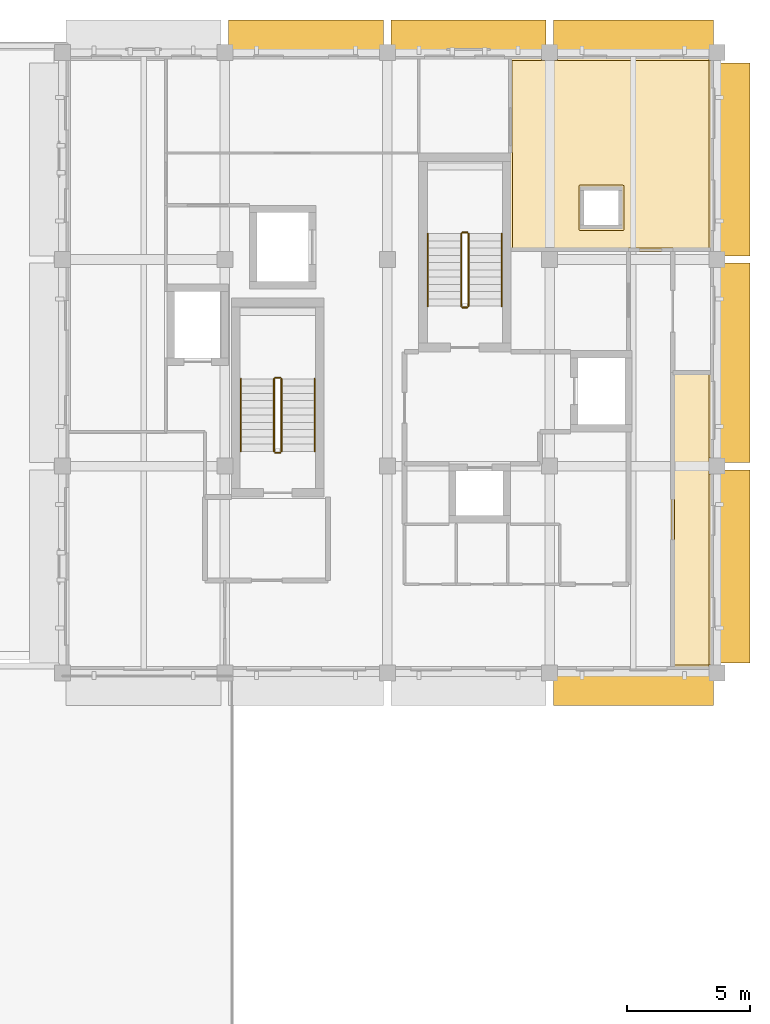
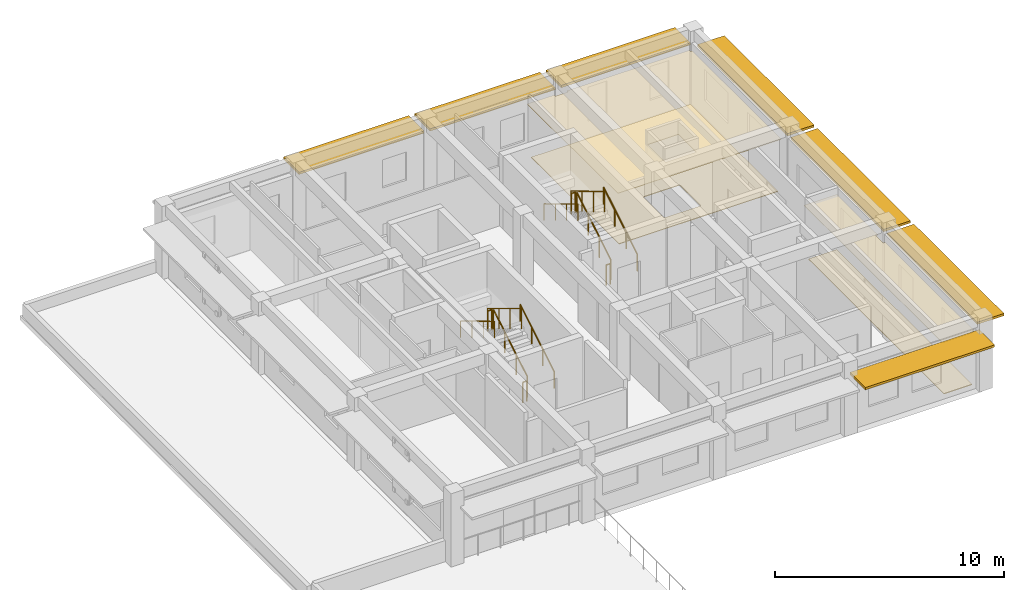
# One storey, part 7 of 7: 12 railings, 7 shading devices, 4 coverings.
"""IFC4 building model written with IfcOpenShell, lengths in metres."""

from ifc_helpers import new_model, si_unit, direction, frame, origin, origin_2d, place, context, subcontext, project, spatial, polyline, rectangle, circle, outline, extrude, material, layer, layer_set, type_object, element, save


model = new_model("IFC4")

# Units and contexts
model_context = context("Model", 3, precision=1e-05, world=origin(), true_north=direction((0.0, 1.0)))
body_context = subcontext(model_context, "Body", "Model", "MODEL_VIEW")
ifc_project = project(units=[si_unit("LENGTHUNIT", "METRE"), si_unit("AREAUNIT", "SQUARE_METRE"), si_unit("VOLUMEUNIT", "CUBIC_METRE"), si_unit("PLANEANGLEUNIT", "RADIAN"), si_unit("MASSUNIT", "GRAM", prefix="KILO")], contexts=[model_context])

# Site, building, storey
site_placement = place(None, origin())
site = spatial("IfcSite", under=ifc_project, at=site_placement, CompositionType="ELEMENT")
building_placement = place(site_placement, origin())
building = spatial("IfcBuilding", under=site, at=building_placement, Name="Kolvaren Faculty of Natural Sciences", CompositionType="ELEMENT")
storey_placement = place(building_placement, frame((0.0, 0.0, 32.699951171875)))
storey = spatial("IfcBuildingStorey", under=building, at=storey_placement, Name="L07", CompositionType="ELEMENT", Elevation=32.699951171875)

# Coverings
ifc_material_1 = material(Name="Perforated mineral-fibre acoustic suspended ceiling tile")
ifc_layer_1 = layer(ifc_material_1, 0.02490234375)
ifc_layer_set_1 = layer_set([ifc_layer_1], Name="Perforated mineral-fibre acoustic suspended ceiling tile")
covering_type_1 = type_object("IfcCoveringType", Name="AcousticSuspendedCeiling_25", PredefinedType="CEILING", material=ifc_layer_set_1)
covering_1_placement = place(storey_placement, frame((0.0, 0.0, 2.824951171875)))
element("IfcCovering", 1, at=covering_1_placement, inside=storey, type_object=covering_type_1, Name="L07 L07 Departmental Reference Library acoustic ceiling", PredefinedType="CEILING", context=body_context, shape_type="SweptSolid", body=[
    extrude(outline(polyline([(171.780029296875, 71.280029296875), (171.780029296875, 67.72509765625), (171.675048828125, 67.72509765625), (171.675048828125, 67.074951171875), (171.780029296875, 67.074951171875), (171.780029296875, 59.324951171875), (171.675048828125, 59.324951171875), (171.675048828125, 59.219970703125), (170.1201171875, 59.219970703125), (170.1201171875, 71.280029296875), (171.780029296875, 71.280029296875)])), origin(), (0.0, 0.0, 1.0), 0.025146484375),
])
covering_2_placement = place(storey_placement, frame((0.0, 0.0, 2.824951171875)))
element("IfcCovering", 2, at=covering_2_placement, inside=storey, type_object=covering_type_1, Name="L07 L07 Senior Researcher Office acoustic ceiling", PredefinedType="CEILING", context=body_context, shape_type="SweptSolid", body=[
    extrude(outline(polyline([(163.544921875, 80.044921875), (163.52001953125, 80.044921875), (163.52001953125, 83.97998046875), (164.875, 83.97998046875), (164.875, 83.875), (165.52490234375, 83.875), (165.52490234375, 83.97998046875), (171.675048828125, 83.97998046875), (171.675048828125, 83.875), (171.780029296875, 83.875), (171.780029296875, 76.125), (171.675048828125, 76.125), (171.675048828125, 76.1201171875), (165.52490234375, 76.1201171875), (165.52490234375, 76.125), (164.875, 76.125), (164.875, 76.1201171875), (163.544921875, 76.1201171875), (163.544921875, 80.044921875)]), holes=[polyline([(168.080078125, 77.1201171875), (168.080078125, 78.679931640625), (166.52001953125, 78.679931640625), (166.52001953125, 77.1201171875), (168.080078125, 77.1201171875)])]), origin(), (0.0, 0.0, 1.0), 0.025146484375),
])

# Shading devices
ifc_material_2 = material(Name="Precast concrete C35/45", Category="concrete")
ifc_layer_2 = layer(ifc_material_2, 0.1201171875)
ifc_layer_set_2 = layer_set([ifc_layer_2], Name="Precast concrete C35/45")
shading_device_type = type_object("IfcShadingDeviceType", Name="ChhajjaSolarHood_1350", PredefinedType="AWNING", material=ifc_layer_set_2)
shading_device_1_placement = place(storey_placement, frame((172.655029296875, 79.8701171875, 3.044921875), z_axis=(0.0, 0.0, 1.0), x_axis=(0.0, -1.0, 0.0)))
element("IfcShadingDevice", 3, at=shading_device_1_placement, inside=storey, type_object=shading_device_type, Name="L07 precast sandstone chhajja solar hood 184", PredefinedType="AWNING", context=body_context, shape_type="SweptSolid", body=[
    extrude(rectangle(XDim=7.840087890625, YDim=1.35009765625, at=origin_2d()), origin(), (0.0, 0.0, 1.0), 0.1201171875),
])
shading_device_2_placement = place(storey_placement, frame((172.655029296875, 71.60009765625, 3.044921875), z_axis=(0.0, 0.0, 1.0), x_axis=(0.0, -1.0, 0.0)))
element("IfcShadingDevice", 4, at=shading_device_2_placement, inside=storey, type_object=shading_device_type, Name="L07 precast sandstone chhajja solar hood 185", PredefinedType="AWNING", context=body_context, shape_type="SweptSolid", body=[
    extrude(rectangle(XDim=8.10009765625, YDim=1.35009765625, at=origin_2d()), origin(), (0.0, 0.0, 1.0), 0.1201171875),
])
shading_device_3_placement = place(storey_placement, frame((172.655029296875, 63.330078125, 3.044921875), z_axis=(0.0, 0.0, 1.0), x_axis=(0.0, -1.0, 0.0)))
element("IfcShadingDevice", 5, at=shading_device_3_placement, inside=storey, type_object=shading_device_type, Name="L07 precast sandstone chhajja solar hood 186", PredefinedType="AWNING", context=body_context, shape_type="SweptSolid", body=[
    extrude(rectangle(XDim=7.840087890625, YDim=1.35009765625, at=origin_2d()), origin(), (0.0, 0.0, 1.0), 0.1201171875),
])
for number, where, z_axis, x_axis, name in (
    (6, (155.300048828125, 84.85498046875, 2.945068359375), (0.0, 0.0, 1.0), (1.0, 0.0, 0.0), "L07 precast sandstone chhajja solar hood 188"),
    (7, (161.89990234375, 84.85498046875, 2.945068359375), (0.0, 0.0, 1.0), (1.0, 0.0, 0.0), "L07 precast sandstone chhajja solar hood 189"),
):
    element("IfcShadingDevice", number, at=place(storey_placement, frame(where, z_axis=z_axis, x_axis=x_axis)), inside=storey, type_object=shading_device_type, Name=name, PredefinedType="AWNING", context=body_context, shape_type="SweptSolid", body=[
        extrude(rectangle(XDim=6.300048828125, YDim=1.35009765625, at=origin_2d()), origin(), (0.0, 0.0, 1.0), 0.1201171875),
    ])
for number, where, z_axis, x_axis, name in (
    (8, (168.60009765625, 84.85498046875, 2.945068359375), (0.0, 0.0, 1.0), (1.0, 0.0, 0.0), "L07 precast sandstone chhajja solar hood 190"),
    (9, (168.60009765625, 58.344970703125, 2.945068359375), (0.0, 0.0, 1.0), (-1.0, 0.0, 0.0), "L07 precast sandstone chhajja solar hood 194"),
):
    element("IfcShadingDevice", number, at=place(storey_placement, frame(where, z_axis=z_axis, x_axis=x_axis)), inside=storey, type_object=shading_device_type, Name=name, PredefinedType="AWNING", context=body_context, shape_type="SweptSolid", body=[
        extrude(rectangle(XDim=6.5, YDim=1.35009765625, at=origin_2d()), origin(), (0.0, 0.0, 1.0), 0.1201171875),
    ])

# Railings
ifc_material_3 = material(Name="Structural steel EN 10210-1 S355J2H", Category="steel")
ifc_layer_3 = layer(ifc_material_3, 0.048095703125)
ifc_layer_set_3 = layer_set([ifc_layer_3], Name="Structural steel EN 10210-1 S355J2H")
railing_type_1 = type_object("IfcRailingType", Name="StairPitchHandrail_920", PredefinedType="HANDRAIL", material=ifc_layer_set_3)
railing_1_placement = place(storey_placement, frame((163.25, 73.89990234375, 0.17724609375)))
element("IfcRailing", 10, at=railing_1_placement, inside=storey, type_object=railing_type_1, Name="L07 ST-1 stair handrail 1", PredefinedType="HANDRAIL", context=body_context, shape_type="SweptSolid", body=[
    extrude(circle(Radius=0.02392578125, at=origin_2d()), frame((0.0, 0.0, 0.8759765625), z_axis=(0.0, 0.85716102882, 0.515048512931), x_axis=(-1.0, 0.0, 0.0)), (0.0, 0.0, 1.0), 3.44189453125),
    extrude(circle(Radius=0.02099609375, at=origin_2d()), origin(), (0.0, 0.0, 1.0), 0.851806640625),
    extrude(circle(Radius=0.02099609375, at=origin_2d()), frame((0.0, 0.9833984375, 0.5908203125)), (0.0, 0.0, 1.0), 0.851806640625),
    extrude(circle(Radius=0.02099609375, at=origin_2d()), frame((0.0, 1.966796875, 1.181884765625)), (0.0, 0.0, 1.0), 0.851806640625),
    extrude(circle(Radius=0.02099609375, at=origin_2d()), frame((0.0, 2.9501953125, 1.772705078125)), (0.0, 0.0, 1.0), 0.851806640625),
])
railing_2_placement = place(storey_placement, frame((160.25, 76.85009765625, 2.12744140625)))
element("IfcRailing", 11, at=railing_2_placement, inside=storey, type_object=railing_type_1, Name="L07 ST-1 stair handrail 2", PredefinedType="HANDRAIL", context=body_context, shape_type="SweptSolid", body=[
    extrude(circle(Radius=0.02392578125, at=origin_2d()), frame((0.0, 0.0, 0.8759765625), z_axis=(0.0, -0.85716102882, 0.515048512931), x_axis=(1.0, 0.0, 0.0)), (0.0, 0.0, 1.0), 3.44189453125),
    extrude(circle(Radius=0.02099609375, at=origin_2d()), origin(), (0.0, 0.0, 1.0), 0.851806640625),
    extrude(circle(Radius=0.02099609375, at=origin_2d()), frame((0.0, -0.9833984375, 0.5908203125)), (0.0, 0.0, 1.0), 0.851806640625),
    extrude(circle(Radius=0.02099609375, at=origin_2d()), frame((0.0, -1.966796875, 1.181884765625)), (0.0, 0.0, 1.0), 0.851806640625),
    extrude(circle(Radius=0.02099609375, at=origin_2d()), frame((0.0, -2.9501953125, 1.772705078125)), (0.0, 0.0, 1.0), 0.851806640625),
])
railing_3_placement = place(storey_placement, frame((155.64990234375, 68.0, 0.17724609375)))
element("IfcRailing", 12, at=railing_3_placement, inside=storey, type_object=railing_type_1, Name="L07 ST-2 stair handrail 1", PredefinedType="HANDRAIL", context=body_context, shape_type="SweptSolid", body=[
    extrude(circle(Radius=0.02392578125, at=origin_2d()), frame((0.0, 0.0, 0.8759765625), z_axis=(0.0, 0.857142210208, 0.515079830201), x_axis=(-1.0, 0.0, 0.0)), (0.0, 0.0, 1.0), 3.441650390625),
    extrude(circle(Radius=0.02099609375, at=origin_2d()), origin(), (0.0, 0.0, 1.0), 0.851806640625),
    extrude(circle(Radius=0.02099609375, at=origin_2d()), frame((0.0, 0.9833984375, 0.5908203125)), (0.0, 0.0, 1.0), 0.851806640625),
    extrude(circle(Radius=0.02099609375, at=origin_2d()), frame((0.0, 1.966552734375, 1.181884765625)), (0.0, 0.0, 1.0), 0.851806640625),
    extrude(circle(Radius=0.02099609375, at=origin_2d()), frame((0.0, 2.949951171875, 1.772705078125)), (0.0, 0.0, 1.0), 0.851806640625),
])
railing_4_placement = place(storey_placement, frame((152.64990234375, 70.949951171875, 2.12744140625)))
element("IfcRailing", 13, at=railing_4_placement, inside=storey, type_object=railing_type_1, Name="L07 ST-2 stair handrail 2", PredefinedType="HANDRAIL", context=body_context, shape_type="SweptSolid", body=[
    extrude(circle(Radius=0.02392578125, at=origin_2d()), frame((0.0, 0.0, 0.8759765625), z_axis=(0.0, -0.857142210208, 0.515079830201), x_axis=(1.0, 0.0, 0.0)), (0.0, 0.0, 1.0), 3.441650390625),
    extrude(circle(Radius=0.02099609375, at=origin_2d()), origin(), (0.0, 0.0, 1.0), 0.851806640625),
    extrude(circle(Radius=0.02099609375, at=origin_2d()), frame((0.0, -0.9833984375, 0.5908203125)), (0.0, 0.0, 1.0), 0.851806640625),
    extrude(circle(Radius=0.02099609375, at=origin_2d()), frame((0.0, -1.966552734375, 1.181884765625)), (0.0, 0.0, 1.0), 0.851806640625),
    extrude(circle(Radius=0.02099609375, at=origin_2d()), frame((0.0, -2.949951171875, 1.772705078125)), (0.0, 0.0, 1.0), 0.851806640625),
])
ifc_layer_4 = layer(ifc_material_3, 0.048095703125)
ifc_layer_set_4 = layer_set([ifc_layer_4], Name="Structural steel EN 10210-1 S355J2H")
railing_type_2 = type_object("IfcRailingType", Name="StairWellGuard_1100", PredefinedType="BALUSTRADE", material=ifc_layer_set_4)
railing_5_placement = place(storey_placement, frame((161.89990234375, 73.89990234375, 0.17724609375)))
element("IfcRailing", 14, at=railing_5_placement, inside=storey, type_object=railing_type_2, Name="L07 ST-1 stair guard 1", PredefinedType="BALUSTRADE", context=body_context, shape_type="SweptSolid", body=[
    extrude(circle(Radius=0.02392578125, at=origin_2d()), frame((0.0, 0.0, 1.076171875), z_axis=(0.0, 0.85716102882, 0.515048512931), x_axis=(-1.0, 0.0, 0.0)), (0.0, 0.0, 1.0), 3.44189453125),
    extrude(circle(Radius=0.02099609375, at=origin_2d()), origin(), (0.0, 0.0, 1.0), 1.052001953125),
    extrude(circle(Radius=0.02099609375, at=origin_2d()), frame((0.0, 0.9833984375, 0.5908203125)), (0.0, 0.0, 1.0), 1.052001953125),
    extrude(circle(Radius=0.02099609375, at=origin_2d()), frame((0.0, 1.966796875, 1.181884765625)), (0.0, 0.0, 1.0), 1.052001953125),
    extrude(circle(Radius=0.02099609375, at=origin_2d()), frame((0.0, 2.9501953125, 1.772705078125)), (0.0, 0.0, 1.0), 1.052001953125),
])
railing_6_placement = place(storey_placement, frame((161.85009765625, 76.89990234375, 1.949951171875)))
element("IfcRailing", 15, at=railing_6_placement, inside=storey, type_object=railing_type_2, Name="L07 ST-1 stair guard 2", PredefinedType="BALUSTRADE", context=body_context, shape_type="SweptSolid", body=[
    extrude(circle(Radius=0.02392578125, at=origin_2d()), frame((0.0, 0.0, 1.076171875), z_axis=(-1.0, 0.0, 0.0), x_axis=(0.0, -1.0, 0.0)), (0.0, 0.0, 1.0), 0.2001953125),
    extrude(circle(Radius=0.02099609375, at=origin_2d()), origin(), (0.0, 0.0, 1.0), 1.052001953125),
    extrude(circle(Radius=0.02099609375, at=origin_2d()), frame((-0.2001953125, 0.0, 0.0)), (0.0, 0.0, 1.0), 1.052001953125),
])
railing_7_placement = place(storey_placement, frame((161.60009765625, 76.85009765625, 2.12744140625)))
element("IfcRailing", 16, at=railing_7_placement, inside=storey, type_object=railing_type_2, Name="L07 ST-1 stair guard 3", PredefinedType="BALUSTRADE", context=body_context, shape_type="SweptSolid", body=[
    extrude(circle(Radius=0.02392578125, at=origin_2d()), frame((0.0, 0.0, 1.076171875), z_axis=(0.0, -0.85716102882, 0.515048512931), x_axis=(1.0, 0.0, 0.0)), (0.0, 0.0, 1.0), 3.44189453125),
    extrude(circle(Radius=0.02099609375, at=origin_2d()), origin(), (0.0, 0.0, 1.0), 1.052001953125),
    extrude(circle(Radius=0.02099609375, at=origin_2d()), frame((0.0, -0.9833984375, 0.5908203125)), (0.0, 0.0, 1.0), 1.052001953125),
    extrude(circle(Radius=0.02099609375, at=origin_2d()), frame((0.0, -1.966796875, 1.181884765625)), (0.0, 0.0, 1.0), 1.052001953125),
    extrude(circle(Radius=0.02099609375, at=origin_2d()), frame((0.0, -2.9501953125, 1.772705078125)), (0.0, 0.0, 1.0), 1.052001953125),
])
railing_8_placement = place(storey_placement, frame((161.85009765625, 73.85009765625, 0.0)))
element("IfcRailing", 17, at=railing_8_placement, inside=storey, type_object=railing_type_2, Name="L07 ST-1 stair guard 4", PredefinedType="BALUSTRADE", context=body_context, shape_type="SweptSolid", body=[
    extrude(circle(Radius=0.02392578125, at=origin_2d()), frame((0.0, 0.0, 1.076171875), z_axis=(-1.0, 0.0, 0.0), x_axis=(0.0, -1.0, 0.0)), (0.0, 0.0, 1.0), 0.2001953125),
    extrude(circle(Radius=0.02099609375, at=origin_2d()), origin(), (0.0, 0.0, 1.0), 1.052001953125),
    extrude(circle(Radius=0.02099609375, at=origin_2d()), frame((-0.2001953125, 0.0, 0.0)), (0.0, 0.0, 1.0), 1.052001953125),
])
railing_9_placement = place(storey_placement, frame((154.300048828125, 68.0, 0.17724609375)))
element("IfcRailing", 18, at=railing_9_placement, inside=storey, type_object=railing_type_2, Name="L07 ST-2 stair guard 1", PredefinedType="BALUSTRADE", context=body_context, shape_type="SweptSolid", body=[
    extrude(circle(Radius=0.02392578125, at=origin_2d()), frame((0.0, 0.0, 1.076171875), z_axis=(0.0, 0.857142210208, 0.515079830201), x_axis=(-1.0, 0.0, 0.0)), (0.0, 0.0, 1.0), 3.441650390625),
    extrude(circle(Radius=0.02099609375, at=origin_2d()), origin(), (0.0, 0.0, 1.0), 1.052001953125),
    extrude(circle(Radius=0.02099609375, at=origin_2d()), frame((0.0, 0.9833984375, 0.5908203125)), (0.0, 0.0, 1.0), 1.052001953125),
    extrude(circle(Radius=0.02099609375, at=origin_2d()), frame((0.0, 1.966552734375, 1.181884765625)), (0.0, 0.0, 1.0), 1.052001953125),
    extrude(circle(Radius=0.02099609375, at=origin_2d()), frame((0.0, 2.949951171875, 1.772705078125)), (0.0, 0.0, 1.0), 1.052001953125),
])
railing_10_placement = place(storey_placement, frame((154.25, 71.0, 1.949951171875)))
element("IfcRailing", 19, at=railing_10_placement, inside=storey, type_object=railing_type_2, Name="L07 ST-2 stair guard 2", PredefinedType="BALUSTRADE", context=body_context, shape_type="SweptSolid", body=[
    extrude(circle(Radius=0.02392578125, at=origin_2d()), frame((0.0, 0.0, 1.076171875), z_axis=(-1.0, 0.0, 0.0), x_axis=(0.0, -1.0, 0.0)), (0.0, 0.0, 1.0), 0.199951171875),
    extrude(circle(Radius=0.02099609375, at=origin_2d()), origin(), (0.0, 0.0, 1.0), 1.052001953125),
    extrude(circle(Radius=0.02099609375, at=origin_2d()), frame((-0.199951171875, 0.0, 0.0)), (0.0, 0.0, 1.0), 1.052001953125),
])
railing_11_placement = place(storey_placement, frame((154.0, 70.949951171875, 2.12744140625)))
element("IfcRailing", 20, at=railing_11_placement, inside=storey, type_object=railing_type_2, Name="L07 ST-2 stair guard 3", PredefinedType="BALUSTRADE", context=body_context, shape_type="SweptSolid", body=[
    extrude(circle(Radius=0.02392578125, at=origin_2d()), frame((0.0, 0.0, 1.076171875), z_axis=(0.0, -0.857142210208, 0.515079830201), x_axis=(1.0, 0.0, 0.0)), (0.0, 0.0, 1.0), 3.441650390625),
    extrude(circle(Radius=0.02099609375, at=origin_2d()), origin(), (0.0, 0.0, 1.0), 1.052001953125),
    extrude(circle(Radius=0.02099609375, at=origin_2d()), frame((0.0, -0.9833984375, 0.5908203125)), (0.0, 0.0, 1.0), 1.052001953125),
    extrude(circle(Radius=0.02099609375, at=origin_2d()), frame((0.0, -1.966552734375, 1.181884765625)), (0.0, 0.0, 1.0), 1.052001953125),
    extrude(circle(Radius=0.02099609375, at=origin_2d()), frame((0.0, -2.949951171875, 1.772705078125)), (0.0, 0.0, 1.0), 1.052001953125),
])
railing_12_placement = place(storey_placement, frame((154.25, 67.949951171875, 0.0)))
element("IfcRailing", 21, at=railing_12_placement, inside=storey, type_object=railing_type_2, Name="L07 ST-2 stair guard 4", PredefinedType="BALUSTRADE", context=body_context, shape_type="SweptSolid", body=[
    extrude(circle(Radius=0.02392578125, at=origin_2d()), frame((0.0, 0.0, 1.076171875), z_axis=(-1.0, 0.0, 0.0), x_axis=(0.0, -1.0, 0.0)), (0.0, 0.0, 1.0), 0.199951171875),
    extrude(circle(Radius=0.02099609375, at=origin_2d()), origin(), (0.0, 0.0, 1.0), 1.052001953125),
    extrude(circle(Radius=0.02099609375, at=origin_2d()), frame((-0.199951171875, 0.0, 0.0)), (0.0, 0.0, 1.0), 1.052001953125),
])

# Coverings
ifc_material_4 = material(Name="Polished Uruguayan grey granite terrazzo flooring", Category="masonry")
ifc_layer_5 = layer(ifc_material_4, 0.030029296875)
ifc_layer_set_5 = layer_set([ifc_layer_5], Name="Polished Uruguayan grey granite terrazzo flooring")
covering_type_2 = type_object("IfcCoveringType", Name="TerrazzoFloorFinish_30", PredefinedType="FLOORING", material=ifc_layer_set_5)
covering_3_placement = place(storey_placement, origin())
element("IfcCovering", 22, at=covering_3_placement, inside=storey, type_object=covering_type_2, Name="L07 L07 Departmental Reference Library floor finish", PredefinedType="FLOORING", context=body_context, shape_type="SweptSolid", body=[
    extrude(outline(polyline([(171.679931640625, 67.72509765625), (171.675048828125, 67.72509765625), (171.675048828125, 67.074951171875), (171.679931640625, 67.074951171875), (171.679931640625, 59.324951171875), (171.675048828125, 59.324951171875), (171.675048828125, 59.320068359375), (170.260009765625, 59.320068359375), (170.260009765625, 71.139892578125), (171.679931640625, 71.139892578125), (171.679931640625, 67.72509765625)])), origin(), (0.0, 0.0, 1.0), 0.030029296875),
])
covering_4_placement = place(storey_placement, origin())
element("IfcCovering", 23, at=covering_4_placement, inside=storey, type_object=covering_type_2, Name="L07 L07 Senior Researcher Office floor finish", PredefinedType="FLOORING", context=body_context, shape_type="SweptSolid", body=[
    extrude(outline(polyline([(163.659912109375, 83.8798828125), (164.875, 83.8798828125), (164.875, 83.875), (165.52490234375, 83.875), (165.52490234375, 83.8798828125), (171.675048828125, 83.8798828125), (171.675048828125, 83.875), (171.679931640625, 83.875), (171.679931640625, 76.260009765625), (163.68505859375, 76.260009765625), (163.68505859375, 80.125), (163.684814453125, 80.130859375), (163.683837890625, 80.13671875), (163.682373046875, 80.142333984375), (163.680419921875, 80.14794921875), (163.677978515625, 80.1533203125), (163.6748046875, 80.158203125), (163.67138671875, 80.1630859375), (163.66748046875, 80.16748046875), (163.6630859375, 80.17138671875), (163.659912109375, 80.173583984375), (163.659912109375, 83.8798828125)]), holes=[polyline([(166.43408203125, 78.819580078125), (166.42822265625, 78.81884765625), (166.422607421875, 78.8173828125), (166.4169921875, 78.8154296875), (166.41162109375, 78.81298828125), (166.40673828125, 78.809814453125), (166.40185546875, 78.806396484375), (166.397705078125, 78.802490234375), (166.3935546875, 78.798095703125), (166.39013671875, 78.793212890625), (166.38720703125, 78.788330078125), (166.384521484375, 78.782958984375), (166.382568359375, 78.77734375), (166.381103515625, 78.771728515625), (166.38037109375, 78.765869140625), (166.3798828125, 78.760009765625), (166.3798828125, 77.0400390625), (166.38037109375, 77.0341796875), (166.381103515625, 77.0283203125), (166.382568359375, 77.022705078125), (166.384521484375, 77.01708984375), (166.38720703125, 77.01171875), (166.39013671875, 77.006591796875), (166.3935546875, 77.001953125), (166.397705078125, 76.99755859375), (166.40185546875, 76.99365234375), (166.40673828125, 76.989990234375), (166.41162109375, 76.987060546875), (166.4169921875, 76.984619140625), (166.422607421875, 76.982666015625), (166.42822265625, 76.981201171875), (166.43408203125, 76.980224609375), (166.43994140625, 76.97998046875), (168.159912109375, 76.97998046875), (168.166015625, 76.980224609375), (168.171630859375, 76.981201171875), (168.177490234375, 76.982666015625), (168.18310546875, 76.984619140625), (168.188232421875, 76.987060546875), (168.193359375, 76.989990234375), (168.197998046875, 76.99365234375), (168.202392578125, 76.99755859375), (168.206298828125, 77.001953125), (168.2099609375, 77.006591796875), (168.212890625, 77.01171875), (168.21533203125, 77.01708984375), (168.21728515625, 77.022705078125), (168.21875, 77.0283203125), (168.2197265625, 77.0341796875), (168.219970703125, 77.0400390625), (168.219970703125, 78.760009765625), (168.2197265625, 78.765869140625), (168.21875, 78.771728515625), (168.21728515625, 78.77734375), (168.21533203125, 78.782958984375), (168.212890625, 78.788330078125), (168.2099609375, 78.793212890625), (168.206298828125, 78.798095703125), (168.202392578125, 78.802490234375), (168.197998046875, 78.806396484375), (168.193359375, 78.809814453125), (168.188232421875, 78.81298828125), (168.18310546875, 78.8154296875), (168.177490234375, 78.8173828125), (168.171630859375, 78.81884765625), (168.166015625, 78.819580078125), (168.159912109375, 78.820068359375), (166.43994140625, 78.820068359375), (166.43408203125, 78.819580078125)])]), origin(), (0.0, 0.0, 1.0), 0.030029296875),
])

save(model, "model.ifc")
